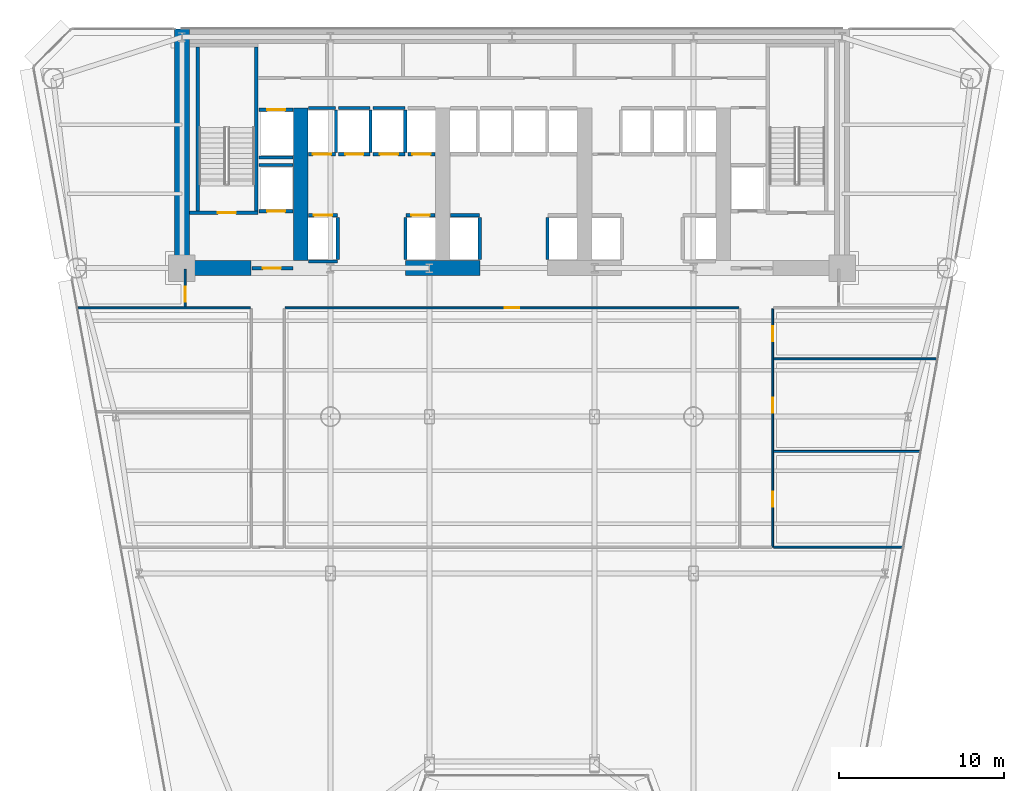
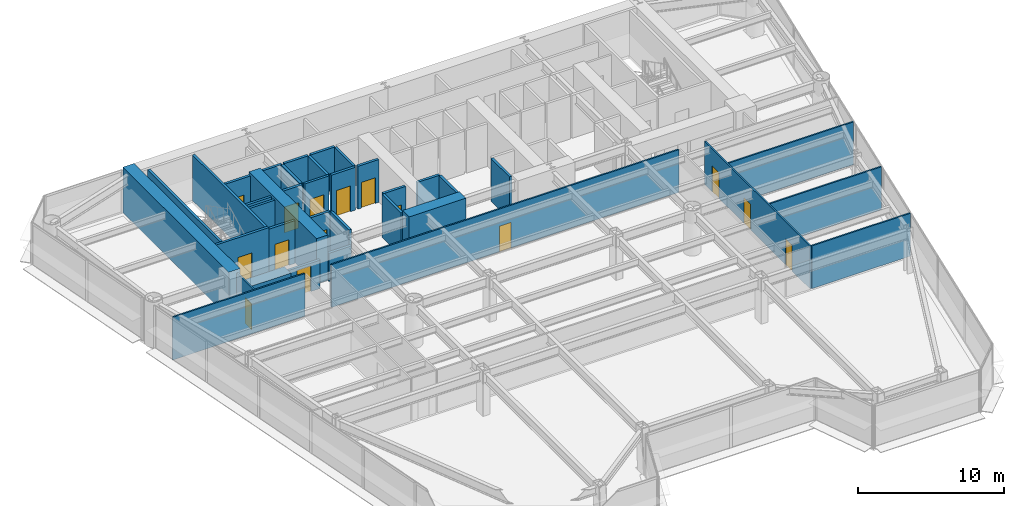
# One storey, part 8 of 14: 37 walls, 15 doors, 15 openings.
"""IFC4 building model written with IfcOpenShell, lengths in metres."""

import ifcopenshell
import ifcopenshell.guid

model = None  # the IFC model being written
_history = None  # IfcOwnerHistory: only IFC2X3 demands one
_inside = {}  # id of a spatial element -> (the spatial element, [elements in it])
_under = {}  # id of a project, library or spatial element -> (it, [spatial elements below it])
_declared = {}  # id of a project -> (the project, [libraries it declares])
_typed = {}  # id of a type object -> (the type object, [elements of that type])
_made_of = {}  # id of a material, layer set ... -> (it, [elements and type objects made of it])


def new_model(schema):
    """Start an empty IFC model of exactly this schema.

    Asked for "IFC4X3", IfcOpenShell would pick the latest addendum, in which some entities
    have other attributes; the version numbers below select the first issue.
    IFC2X3 requires an IfcOwnerHistory on every rooted entity: one is made here for all.
    """
    global model, _history
    if schema == "IFC4X3":
        model = ifcopenshell.file(schema_version=(4, 3, 0, 0))
    else:
        model = ifcopenshell.file(schema=schema)
    _inside.clear()
    _under.clear()
    _declared.clear()
    _typed.clear()
    _made_of.clear()
    _history = None
    if model.schema == "IFC2X3":
        org = make("IfcOrganization", Name="unknown")
        user = make(
            "IfcPersonAndOrganization",
            ThePerson=make("IfcPerson", FamilyName="unknown"),
            TheOrganization=org,
        )
        app = make(
            "IfcApplication",
            ApplicationDeveloper=org,
            Version="unknown",
            ApplicationFullName="unknown",
            ApplicationIdentifier="unknown",
        )
        _history = make(
            "IfcOwnerHistory",
            OwningUser=user,
            OwningApplication=app,
            ChangeAction="ADDED",
            CreationDate=0,
        )
    return model


def make(cls, **values):
    """One entity of the class cls with the attributes given. An attribute that is None is left unset."""
    return model.create_entity(
        cls, **{name: value for name, value in values.items() if value is not None}
    )


def rooted(cls, **values):
    """An entity with a GlobalId (a new one), such as an element, a storey or a relation."""
    return make(cls, GlobalId=ifcopenshell.guid.new(), OwnerHistory=_history, **values)


def si_unit(unit_type, name, prefix=None):
    """IfcSIUnit, for example si_unit("LENGTHUNIT", "METRE", prefix="MILLI")."""
    return make("IfcSIUnit", UnitType=unit_type, Prefix=prefix, Name=name)


def assignment(units):
    """IfcUnitAssignment: the units of a project."""
    return None if units is None else make("IfcUnitAssignment", Units=units)


def point(xyz):
    """IfcCartesianPoint."""
    return None if xyz is None else make("IfcCartesianPoint", Coordinates=xyz)


def direction(xyz):
    """IfcDirection."""
    return None if xyz is None else make("IfcDirection", DirectionRatios=xyz)


def frame(location, z_axis=None, x_axis=None):
    """IfcAxis2Placement3D, a coordinate frame: its origin and axes. An axis left out is left unset."""
    return make(
        "IfcAxis2Placement3D",
        Location=point(location),
        Axis=direction(z_axis),
        RefDirection=direction(x_axis),
    )


def frame_2d(location, x_axis=None):
    """IfcAxis2Placement2D, a coordinate frame in the plane: its origin and x axis."""
    return make(
        "IfcAxis2Placement2D", Location=point(location), RefDirection=direction(x_axis)
    )


def origin():
    """The frame at (0, 0, 0) with its axes left unset."""
    return frame((0.0, 0.0, 0.0))


def place(relative_to, where):
    """IfcLocalPlacement: puts the frame where relative to a parent placement (None: the world)."""
    return make(
        "IfcLocalPlacement", PlacementRelTo=relative_to, RelativePlacement=where
    )


def context(
    kind, dimensions, precision=None, world=None, true_north=None, identifier=None
):
    """IfcGeometricRepresentationContext, for example the 3D "Model" context."""
    return make(
        "IfcGeometricRepresentationContext",
        ContextIdentifier=identifier,
        ContextType=kind,
        CoordinateSpaceDimension=dimensions,
        Precision=precision,
        WorldCoordinateSystem=world,
        TrueNorth=true_north,
    )


def subcontext(parent, identifier, kind, view, scale=None):
    """IfcGeometricRepresentationSubContext, for example "Body" below "Model"."""
    return make(
        "IfcGeometricRepresentationSubContext",
        ContextIdentifier=identifier,
        ContextType=kind,
        ParentContext=parent,
        TargetScale=scale,
        TargetView=view,
    )


def project(units=None, contexts=None):
    """IfcProject with its units and contexts."""
    return rooted(
        "IfcProject",
        Name="project",
        RepresentationContexts=contexts,
        UnitsInContext=assignment(units),
    )


def spatial(cls, under=None, at=None, **own):
    """A site, building, storey or space (cls), placed at a placement, below another one or the project."""
    s = rooted(cls, ObjectPlacement=at, **own)
    if under is not None:
        _under.setdefault(under.id(), (under, []))[1].append(s)
    return s


def profile(cls, at=None, kind="AREA", **sizes):
    """A parametric profile (cls). Its sizes go by their IFC names, for example OverallWidth=200.0."""
    return make(cls, ProfileType=kind, Position=at, **sizes)


def rectangle(**sizes):
    """IfcRectangleProfileDef."""
    return profile("IfcRectangleProfileDef", **sizes)


def extrude(swept, where, along, depth):
    """IfcExtrudedAreaSolid: the profile swept, set in the frame where, extruded along a direction by depth."""
    return make(
        "IfcExtrudedAreaSolid",
        SweptArea=swept,
        Position=where,
        ExtrudedDirection=direction(along),
        Depth=depth,
    )


def shape(context_of_items, identifier, shape_type, items):
    """IfcShapeRepresentation: the items that make up one representation, for example the "Body"."""
    return make(
        "IfcShapeRepresentation",
        ContextOfItems=context_of_items,
        RepresentationIdentifier=identifier,
        RepresentationType=shape_type,
        Items=items,
    )


def source(mapping_origin, context_of_items, identifier, shape_type, items):
    """IfcRepresentationMap: a shape defined once, which mapped items show again and again."""
    return make(
        "IfcRepresentationMap",
        MappingOrigin=mapping_origin,
        MappedRepresentation=shape(context_of_items, identifier, shape_type, items),
    )


def transform(
    local_origin,
    x_axis=None,
    y_axis=None,
    z_axis=None,
    scale=None,
    scale2=None,
    scale3=None,
    uniform=True,
):
    """IfcCartesianTransformationOperator3D, or its non-uniform kind. x_axis, y_axis, z_axis: its Axis1, 2, 3."""
    if uniform:
        return make(
            "IfcCartesianTransformationOperator3D",
            Axis1=direction(x_axis),
            Axis2=direction(y_axis),
            LocalOrigin=point(local_origin),
            Scale=scale,
            Axis3=direction(z_axis),
        )
    return make(
        "IfcCartesianTransformationOperator3DnonUniform",
        Axis1=direction(x_axis),
        Axis2=direction(y_axis),
        LocalOrigin=point(local_origin),
        Scale=scale,
        Axis3=direction(z_axis),
        Scale2=scale2,
        Scale3=scale3,
    )


def mapped(mapping_source, mapping_target):
    """IfcMappedItem: shows the shape of a source again, moved by a transform."""
    return make(
        "IfcMappedItem", MappingSource=mapping_source, MappingTarget=mapping_target
    )


def material(Name=None, Category=None):
    """IfcMaterial."""
    return make("IfcMaterial", Name=Name, Category=Category)


def layer(
    of_material, thickness, ventilated=None, Name=None, Category=None, Priority=None
):
    """IfcMaterialLayer: one layer of a wall or slab, of a material (None: an air gap)."""
    return make(
        "IfcMaterialLayer",
        Material=of_material,
        LayerThickness=thickness,
        IsVentilated=ventilated,
        Name=Name,
        Category=Category,
        Priority=Priority,
    )


def layer_set(layers, Name=None):
    """IfcMaterialLayerSet."""
    return make("IfcMaterialLayerSet", MaterialLayers=layers, LayerSetName=Name)


def made_of(thing, what):
    """Note that an element or type object is made of a material, layer set ...; save() writes the relation."""
    if what is not None:
        _made_of.setdefault(what.id(), (what, []))[1].append(thing)
    return thing


def type_object(cls, material=None, **own):
    """A type object (cls), such as IfcWallType, which elements share."""
    return made_of(rooted(cls, **own), material)


def element(
    cls,
    number,
    at=None,
    inside=None,
    cuts=None,
    type_object=None,
    material=None,
    context=None,
    identifier="Body",
    shape_type=None,
    held_by="IfcProductDefinitionShape",
    body=None,
    shapes=None,
    **own,
):
    """One element of the class cls, such as IfcWall. Its Tag is "e" and its number.

    at: its placement. inside: the storey or other place that contains it. cuts: it is an
    opening in that element (IfcRelVoidsElement). A single representation is given by context,
    identifier, shape_type and body (its items); several are given by shapes. held_by: the class
    of the entity that holds the representations. save() writes the other relations.
    """
    e = rooted(cls, Tag="e%d" % number, ObjectPlacement=at, **own)
    if body is not None:
        shapes = [shape(context, identifier, shape_type, body)]
    if shapes is not None:
        e.Representation = make(held_by, Representations=shapes)
    if inside is not None:
        _inside.setdefault(inside.id(), (inside, []))[1].append(e)
    if cuts is not None:
        rooted(
            "IfcRelVoidsElement", RelatingBuildingElement=cuts, RelatedOpeningElement=e
        )
    if type_object is not None:
        _typed.setdefault(type_object.id(), (type_object, []))[1].append(e)
    return made_of(e, material)


def fill(opening, filler):
    """IfcRelFillsElement: the door or window that sits in an opening."""
    return rooted(
        "IfcRelFillsElement",
        RelatingOpeningElement=opening,
        RelatedBuildingElement=filler,
    )


def aggregate(whole, parts):
    """IfcRelAggregates: a whole, such as a stair, and the parts it consists of."""
    return rooted("IfcRelAggregates", RelatingObject=whole, RelatedObjects=parts)


def save(model, path):
    """Write the relations noted so far, then the file.

    IfcRelAggregates (storeys below a building ...), IfcRelContainedInSpatialStructure (elements
    in a storey), IfcRelDefinesByType, IfcRelAssociatesMaterial and IfcRelDeclares: one each for
    every whole, place, type object, material and project.
    """
    for whole, parts in _under.values():
        aggregate(whole, parts)
    for where, things in _inside.values():
        rooted(
            "IfcRelContainedInSpatialStructure",
            RelatedElements=things,
            RelatingStructure=where,
        )
    for kind, things in _typed.values():
        rooted("IfcRelDefinesByType", RelatedObjects=things, RelatingType=kind)
    for what, things in _made_of.values():
        rooted("IfcRelAssociatesMaterial", RelatedObjects=things, RelatingMaterial=what)
    for by, libraries in _declared.values():
        rooted("IfcRelDeclares", RelatingContext=by, RelatedDefinitions=libraries)
    model.write(path)


model = new_model("IFC4")

# Units and contexts
model_context = context("Model", 3, precision=1e-05, world=origin(), true_north=direction((0.0, 1.0)))
body_context = subcontext(model_context, "Body", "Model", "MODEL_VIEW")
ifc_project = project(units=[si_unit("LENGTHUNIT", "METRE"), si_unit("AREAUNIT", "SQUARE_METRE"), si_unit("VOLUMEUNIT", "CUBIC_METRE"), si_unit("PLANEANGLEUNIT", "RADIAN"), si_unit("MASSUNIT", "GRAM", prefix="KILO")], contexts=[model_context])

# Site, building, storey
site_placement = place(None, origin())
site = spatial("IfcSite", under=ifc_project, at=site_placement, CompositionType="ELEMENT")
building_placement = place(site_placement, origin())
building = spatial("IfcBuilding", under=site, at=building_placement, Name="Vaeldorn Concourse Tower", CompositionType="ELEMENT")
storey_placement = place(building_placement, frame((0.0, 0.0, 34.0)))
storey = spatial("IfcBuildingStorey", under=building, at=storey_placement, Name="L08", CompositionType="ELEMENT", Elevation=34.0)

# Walls
ifc_material_1 = material(Name="Concrete C60/75", Category="concrete")
ifc_layer_1 = layer(ifc_material_1, 0.89990234375)
ifc_layer_set_1 = layer_set([ifc_layer_1], Name="Concrete C60/75")
wall_type_1 = type_object("IfcWallType", Name="WL-CORE-900", PredefinedType="SHEAR", material=ifc_layer_set_1)
wall_1_placement = place(storey_placement, frame((14.0, 36.5, 0.0), z_axis=(0.0, 0.0, 1.0), x_axis=(0.0, 1.0, 0.0)))
element("IfcWall", 1, at=wall_1_placement, inside=storey, type_object=wall_type_1, Name="Rear Core Shear Wall L08 W1", PredefinedType="SHEAR", context=body_context, shape_type="SweptSolid", body=[
    extrude(rectangle(XDim=14.5, YDim=0.89990234375, at=frame_2d((7.25, 0.0))), origin(), (0.0, 0.0, 1.0), 3.800048828125),
])
wall_2_placement = place(storey_placement, frame((14.469970703125, 36.5, 0.0), z_axis=(0.0, 0.0, 1.0), x_axis=(1.0, 0.0, 0.0)))
element("IfcWall", 2, at=wall_2_placement, inside=storey, type_object=wall_type_1, Name="Rear Core Shear Wall L08 S1", PredefinedType="SHEAR", context=body_context, shape_type="SweptSolid", body=[
    extrude(rectangle(XDim=3.72998046875, YDim=0.89990234375, at=frame_2d((1.864990234375, 0.0))), origin(), (0.0, 0.0, 1.0), 2.3798828125),
])
wall_3_placement = place(storey_placement, frame((27.550048828125, 36.5, 0.0), z_axis=(0.0, 0.0, 1.0), x_axis=(1.0, 0.0, 0.0)))
element("IfcWall", 3, at=wall_3_placement, inside=storey, type_object=wall_type_1, Name="Rear Core Shear Wall L08 S2", PredefinedType="SHEAR", context=body_context, shape_type="SweptSolid", body=[
    extrude(rectangle(XDim=4.5, YDim=0.89990234375, at=frame_2d((2.25, 0.0))), origin(), (0.0, 0.0, 1.0), 3.800048828125),
])
wall_4_placement = place(storey_placement, frame((21.199951171875, 36.969970703125, 0.0), z_axis=(0.0, 0.0, 1.0), x_axis=(0.0, 1.0, 0.0)))
element("IfcWall", 4, at=wall_4_placement, inside=storey, type_object=wall_type_1, Name="Rear Core Shear Wall L08 M1", PredefinedType="SHEAR", context=body_context, shape_type="SweptSolid", body=[
    extrude(rectangle(XDim=9.22998046875, YDim=0.89990234375, at=frame_2d((4.614990234375, 0.0))), origin(), (0.0, 0.0, 1.0), 3.800048828125),
])

# Wall, opening, door
ifc_material_2 = material(Name="Gypsum Board Partition", Category="gypsum")
ifc_layer_2 = layer(ifc_material_2, 0.1201171875)
ifc_layer_set_2 = layer_set([ifc_layer_2], Name="Gypsum Board Partition")
wall_type_2 = type_object("IfcWallType", Name="WL-PART-120", PredefinedType="PARTITIONING", material=ifc_layer_set_2)
wall_5_placement = place(storey_placement, frame((20.260009765625, 34.10009765625, 0.0), z_axis=(0.0, 0.0, 1.0), x_axis=(1.0, 0.0, 0.0)))
wall_5 = element("IfcWall", 5, at=wall_5_placement, inside=storey, type_object=wall_type_2, Name="Interior Wall PW-L08-CEWS", PredefinedType="PARTITIONING", context=body_context, shape_type="SweptSolid", body=[
    extrude(rectangle(XDim=27.47998046875, YDim=0.1201171875, at=frame_2d((13.739990234375, 0.0))), origin(), (0.0, 0.0, 1.0), 3.580078125),
])
opening_1_placement = place(wall_5_placement, frame((13.2900390625, 0.0, 0.0)))
opening_1 = element("IfcOpeningElement", 6, at=opening_1_placement, cuts=wall_5, Name="Opening D-03", PredefinedType="OPENING", context=body_context, shape_type="SweptSolid", body=[
    extrude(rectangle(XDim=0.89990234375, YDim=2.14990234375, at=frame_2d((0.449951171875, 1.074951171875))), frame((0.0, 0.070068359375, 0.0), z_axis=(0.0, -1.0, 0.0), x_axis=(1.0, 0.0, 0.0)), (0.0, 0.0, 1.0), 0.14013671875),
])
ifc_material_3 = material(Name="Acoustic Bronze-Framed Glass Door", Category="glass")
door_type_1 = type_object("IfcDoorType", Name="DR-INT-900", OperationType="NOTDEFINED", PredefinedType="DOOR", material=ifc_material_3)
shared_shape_1 = source(origin(), body_context, "Body", "SweptSolid", [
    extrude(rectangle(XDim=0.89990234375, YDim=2.14990234375, at=frame_2d((0.449951171875, 1.074951171875))), frame((0.0, 0.02490234375, 0.0), z_axis=(0.0, -1.0, 0.0), x_axis=(1.0, 0.0, 0.0)), (0.0, 0.0, 1.0), 0.050048828125),
])
door_1_placement = place(opening_1_placement, origin())
door_1 = element("IfcDoor", 7, at=door_1_placement, inside=storey, type_object=door_type_1, Name="Interior Door DR-L08-H1", OperationType="SINGLE_SWING_LEFT", OverallHeight=2.14990234375, OverallWidth=0.89990234375, PredefinedType="DOOR", context=body_context, shape_type="MappedRepresentation", body=[
    mapped(shared_shape_1, transform((0.0, 0.0, 0.0), scale=1.0)),
])
fill(opening_1, door_1)

# Wall
wall_6_placement = place(storey_placement, frame((7.69287109375, 34.10009765625, 0.0), z_axis=(0.0, 0.0, 1.0), x_axis=(1.0, 0.0, 0.0)))
element("IfcWall", 8, at=wall_6_placement, inside=storey, type_object=wall_type_2, Name="Interior Wall PW-L08-CEWW", PredefinedType="PARTITIONING", context=body_context, shape_type="SweptSolid", body=[
    extrude(rectangle(XDim=10.447021484375, YDim=0.1201171875, at=frame_2d((5.2236328125, 0.0))), origin(), (0.0, 0.0, 1.0), 3.580078125),
])

# Wall, opening, door
wall_7_placement = place(storey_placement, frame((14.199951171875, 34.159912109375, 0.0), z_axis=(0.0, 0.0, 1.0), x_axis=(0.0, 1.0, 0.0)))
wall_7 = element("IfcWall", 9, at=wall_7_placement, inside=storey, type_object=wall_type_2, Name="Interior Wall PW-L08-CWWT", PredefinedType="PARTITIONING", context=body_context, shape_type="SweptSolid", body=[
    extrude(rectangle(XDim=2.280029296875, YDim=0.1201171875, at=frame_2d((1.14013671875, 0.0))), origin(), (0.0, 0.0, 1.0), 3.580078125),
])
opening_2_placement = place(wall_7_placement, frame((0.300048828125, 0.0, 0.0)))
opening_2 = element("IfcOpeningElement", 10, at=opening_2_placement, cuts=wall_7, Name="Opening D-03", PredefinedType="OPENING", context=body_context, shape_type="SweptSolid", body=[
    extrude(rectangle(XDim=0.89990234375, YDim=2.14990234375, at=frame_2d((0.449951171875, 1.074951171875))), frame((0.0, 0.070068359375, 0.0), z_axis=(0.0, -1.0, 0.0), x_axis=(1.0, 0.0, 0.0)), (0.0, 0.0, 1.0), 0.14013671875),
])
door_2_placement = place(opening_2_placement, origin())
door_2 = element("IfcDoor", 11, at=door_2_placement, inside=storey, type_object=door_type_1, Name="Interior Door DR-L08-NW1", OperationType="SINGLE_SWING_LEFT", OverallHeight=2.14990234375, OverallWidth=0.89990234375, PredefinedType="DOOR", context=body_context, shape_type="MappedRepresentation", body=[
    mapped(shared_shape_1, transform((0.0, 0.0, 0.0), scale=1.0)),
])
fill(opening_2, door_2)

# Wall, openings, doors
wall_8_placement = place(storey_placement, frame((49.800048828125, 19.60009765625, 0.0), z_axis=(0.0, 0.0, 1.0), x_axis=(0.0, 1.0, 0.0)))
wall_8 = element("IfcWall", 12, at=wall_8_placement, inside=storey, type_object=wall_type_2, Name="Interior Wall PW-L08-CEE", PredefinedType="PARTITIONING", context=body_context, shape_type="SweptSolid", body=[
    extrude(rectangle(XDim=14.43994140625, YDim=0.1201171875, at=frame_2d((7.219970703125, 0.0))), origin(), (0.0, 0.0, 1.0), 3.580078125),
])
opening_3_placement = place(wall_8_placement, frame((2.449951171875, 0.0, 0.0)))
opening_3 = element("IfcOpeningElement", 13, at=opening_3_placement, cuts=wall_8, Name="Opening D-03", PredefinedType="OPENING", context=body_context, shape_type="SweptSolid", body=[
    extrude(rectangle(XDim=0.89990234375, YDim=2.14990234375, at=frame_2d((0.449951171875, 1.074951171875))), frame((0.0, 0.070068359375, 0.0), z_axis=(0.0, -1.0, 0.0), x_axis=(1.0, 0.0, 0.0)), (0.0, 0.0, 1.0), 0.14013671875),
])
opening_4_placement = place(wall_8_placement, frame((8.14990234375, 0.0, 0.0)))
opening_4 = element("IfcOpeningElement", 14, at=opening_4_placement, cuts=wall_8, Name="Opening D-03", PredefinedType="OPENING", context=body_context, shape_type="SweptSolid", body=[
    extrude(rectangle(XDim=0.89990234375, YDim=2.14990234375, at=frame_2d((0.449951171875, 1.074951171875))), frame((0.0, 0.070068359375, 0.0), z_axis=(0.0, -1.0, 0.0), x_axis=(1.0, 0.0, 0.0)), (0.0, 0.0, 1.0), 0.14013671875),
])
opening_5_placement = place(wall_8_placement, frame((12.469970703125, 0.0, 0.0)))
opening_5 = element("IfcOpeningElement", 15, at=opening_5_placement, cuts=wall_8, Name="Opening D-03", PredefinedType="OPENING", context=body_context, shape_type="SweptSolid", body=[
    extrude(rectangle(XDim=0.89990234375, YDim=2.14990234375, at=frame_2d((0.449951171875, 1.074951171875))), frame((0.0, 0.070068359375, 0.0), z_axis=(0.0, -1.0, 0.0), x_axis=(1.0, 0.0, 0.0)), (0.0, 0.0, 1.0), 0.14013671875),
])
door_3_placement = place(opening_3_placement, origin())
door_3 = element("IfcDoor", 16, at=door_3_placement, inside=storey, type_object=door_type_1, Name="Interior Door DR-L08-E1", OperationType="SINGLE_SWING_RIGHT", OverallHeight=2.14990234375, OverallWidth=0.89990234375, PredefinedType="DOOR", context=body_context, shape_type="MappedRepresentation", body=[
    mapped(shared_shape_1, transform((0.0, 0.0, 0.0), scale=1.0)),
])
fill(opening_3, door_3)
door_4_placement = place(opening_4_placement, origin())
door_4 = element("IfcDoor", 17, at=door_4_placement, inside=storey, type_object=door_type_1, Name="Interior Door DR-L08-E2", OperationType="SINGLE_SWING_LEFT", OverallHeight=2.14990234375, OverallWidth=0.89990234375, PredefinedType="DOOR", context=body_context, shape_type="MappedRepresentation", body=[
    mapped(shared_shape_1, transform((0.0, 0.0, 0.0), scale=1.0)),
])
fill(opening_4, door_4)
door_5_placement = place(opening_5_placement, origin())
door_5 = element("IfcDoor", 18, at=door_5_placement, inside=storey, type_object=door_type_1, Name="Interior Door DR-L08-E3", OperationType="SINGLE_SWING_RIGHT", OverallHeight=2.14990234375, OverallWidth=0.89990234375, PredefinedType="DOOR", context=body_context, shape_type="MappedRepresentation", body=[
    mapped(shared_shape_1, transform((0.0, 0.0, 0.0), scale=1.0)),
])
fill(opening_5, door_5)

# Walls
wall_9_placement = place(storey_placement, frame((49.860107421875, 19.60009765625, 0.0), z_axis=(0.0, 0.0, 1.0), x_axis=(1.0, 0.0, 0.0)))
element("IfcWall", 19, at=wall_9_placement, inside=storey, type_object=wall_type_2, Name="Interior Wall PW-L08-EY0", PredefinedType="PARTITIONING", context=body_context, shape_type="SweptSolid", body=[
    extrude(rectangle(XDim=7.8125, YDim=0.1201171875, at=frame_2d((3.90625, 0.0))), origin(), (0.0, 0.0, 1.0), 3.580078125),
])
wall_10_placement = place(storey_placement, frame((49.860107421875, 25.39990234375, 0.0), z_axis=(0.0, 0.0, 1.0), x_axis=(1.0, 0.0, 0.0)))
element("IfcWall", 20, at=wall_10_placement, inside=storey, type_object=wall_type_2, Name="Interior Wall PW-L08-EY1", PredefinedType="PARTITIONING", context=body_context, shape_type="SweptSolid", body=[
    extrude(rectangle(XDim=8.8662109375, YDim=0.1201171875, at=frame_2d((4.43310546875, 0.0))), origin(), (0.0, 0.0, 1.0), 3.580078125),
])
wall_11_placement = place(storey_placement, frame((49.860107421875, 31.0, 0.0), z_axis=(0.0, 0.0, 1.0), x_axis=(1.0, 0.0, 0.0)))
element("IfcWall", 21, at=wall_11_placement, inside=storey, type_object=wall_type_2, Name="Interior Wall PW-L08-EY2", PredefinedType="PARTITIONING", context=body_context, shape_type="SweptSolid", body=[
    extrude(rectangle(XDim=9.8837890625, YDim=0.1201171875, at=frame_2d((4.94189453125, 0.0))), origin(), (0.0, 0.0, 1.0), 3.580078125),
])

# Wall, opening, door
ifc_material_4 = material(Name="Concrete C50/60", Category="concrete")
ifc_layer_3 = layer(ifc_material_4, 0.199951171875)
ifc_layer_set_3 = layer_set([ifc_layer_3], Name="Concrete C50/60")
wall_type_3 = type_object("IfcWallType", Name="WL-SHAFT-200", PredefinedType="SOLIDWALL", material=ifc_layer_set_3)
wall_12_placement = place(storey_placement, frame((14.449951171875, 39.85009765625, 0.0), z_axis=(0.0, 0.0, 1.0), x_axis=(1.0, 0.0, 0.0)))
wall_12 = element("IfcWall", 22, at=wall_12_placement, inside=storey, type_object=wall_type_3, Name="Stair Shaft Wall CW-L08-ST-1-S", PredefinedType="SOLIDWALL", context=body_context, shape_type="SweptSolid", body=[
    extrude(rectangle(XDim=4.150146484375, YDim=0.199951171875, at=frame_2d((2.0751953125, 0.0))), origin(), (0.0, 0.0, 1.0), 3.800048828125),
])
opening_6_placement = place(wall_12_placement, frame((1.72509765625, 0.0, 0.0)))
opening_6 = element("IfcOpeningElement", 23, at=opening_6_placement, cuts=wall_12, Name="Opening D-01", PredefinedType="OPENING", context=body_context, shape_type="SweptSolid", body=[
    extrude(rectangle(XDim=1.10009765625, YDim=2.14990234375, at=frame_2d((0.550048828125, 1.074951171875))), frame((0.0, 0.10986328125, 0.0), z_axis=(0.0, -1.0, 0.0), x_axis=(1.0, 0.0, 0.0)), (0.0, 0.0, 1.0), 0.219970703125),
])
ifc_material_5 = material(Name="Fire-Rated Timber and Steel Leaf", Category="steel")
door_type_2 = type_object("IfcDoorType", Name="DR-FD60-1100", OperationType="NOTDEFINED", PredefinedType="DOOR", material=ifc_material_5)
shared_shape_2 = source(origin(), body_context, "Body", "SweptSolid", [
    extrude(rectangle(XDim=1.10009765625, YDim=2.14990234375, at=frame_2d((0.550048828125, 1.074951171875))), frame((0.0, 0.02490234375, 0.0), z_axis=(0.0, -1.0, 0.0), x_axis=(1.0, 0.0, 0.0)), (0.0, 0.0, 1.0), 0.050048828125),
])
door_6_placement = place(opening_6_placement, origin())
door_6 = element("IfcDoor", 24, at=door_6_placement, inside=storey, type_object=door_type_2, Name="Interior Door DR-L08-ST-1", OperationType="SINGLE_SWING_LEFT", OverallHeight=2.14990234375, OverallWidth=1.10009765625, PredefinedType="DOOR", context=body_context, shape_type="MappedRepresentation", body=[
    mapped(shared_shape_2, transform((0.0, 0.0, 0.0), scale=1.0)),
])
fill(opening_6, door_6)

# Walls
for number, where, z_axis, x_axis, name in (
    (25, (14.949951171875, 39.9599609375, 0.0), (0.0, 0.0, 1.0), (0.0, 1.0, 0.0), "Stair Shaft Wall CW-L08-ST-1-W"),
    (26, (18.5, 39.9599609375, 0.0), (0.0, 0.0, 1.0), (0.0, 1.0, 0.0), "Stair Shaft Wall CW-L08-ST-1-E"),
):
    element("IfcWall", number, at=place(storey_placement, frame(where, z_axis=z_axis, x_axis=x_axis)), inside=storey, type_object=wall_type_3, Name=name, PredefinedType="SOLIDWALL", context=body_context, shape_type="SweptSolid", body=[
        extrude(rectangle(XDim=9.929931640625, YDim=0.199951171875, at=frame_2d((4.96484375, 0.0))), origin(), (0.0, 0.0, 1.0), 3.800048828125),
    ])

# Wall, opening, door
wall_13_placement = place(storey_placement, frame((18.25, 36.5, 0.0), z_axis=(0.0, 0.0, 1.0), x_axis=(1.0, 0.0, 0.0)))
wall_13 = element("IfcWall", 27, at=wall_13_placement, inside=storey, type_object=wall_type_3, Name="Interior Wall CW-L08-FF1S", PredefinedType="SOLIDWALL", context=body_context, shape_type="SweptSolid", body=[
    extrude(rectangle(XDim=2.469970703125, YDim=0.199951171875, at=frame_2d((1.23486328125, 0.0))), origin(), (0.0, 0.0, 1.0), 2.3701171875),
])
opening_7_placement = place(wall_13_placement, frame((0.64990234375, 0.0, 0.0)))
opening_7 = element("IfcOpeningElement", 28, at=opening_7_placement, cuts=wall_13, Name="Opening D-01", PredefinedType="OPENING", context=body_context, shape_type="SweptSolid", body=[
    extrude(rectangle(XDim=1.10009765625, YDim=2.14990234375, at=frame_2d((0.550048828125, 1.074951171875))), frame((0.0, 0.10986328125, 0.0), z_axis=(0.0, -1.0, 0.0), x_axis=(1.0, 0.0, 0.0)), (0.0, 0.0, 1.0), 0.219970703125),
])
door_7_placement = place(opening_7_placement, origin())
door_7 = element("IfcDoor", 29, at=door_7_placement, inside=storey, type_object=door_type_2, Name="Interior Door DR-L08-FF1E", OperationType="SINGLE_SWING_RIGHT", OverallHeight=2.14990234375, OverallWidth=1.10009765625, PredefinedType="DOOR", context=body_context, shape_type="MappedRepresentation", body=[
    mapped(shared_shape_2, transform((0.0, 0.0, 0.0), scale=1.0)),
])
fill(opening_7, door_7)

wall_14_placement = place(storey_placement, frame((21.659912109375, 39.699951171875, 0.0), z_axis=(0.0, 0.0, 1.0), x_axis=(1.0, 0.0, 0.0)))
wall_14 = element("IfcWall", 30, at=wall_14_placement, inside=storey, type_object=wall_type_3, Name="Interior Wall CW-L08-LF-LF-01", PredefinedType="SOLIDWALL", context=body_context, shape_type="SweptSolid", body=[
    extrude(rectangle(XDim=1.77001953125, YDim=0.199951171875, at=frame_2d((0.885009765625, 0.0))), origin(), (0.0, 0.0, 1.0), 3.580078125),
])
opening_8_placement = place(wall_14_placement, frame((0.3349609375, 0.0, 0.0)))
opening_8 = element("IfcOpeningElement", 31, at=opening_8_placement, cuts=wall_14, Name="Opening LD-1", PredefinedType="OPENING", context=body_context, shape_type="SweptSolid", body=[
    extrude(rectangle(XDim=1.10009765625, YDim=2.14990234375, at=frame_2d((0.550048828125, 1.074951171875))), frame((0.0, 0.10986328125, 0.0), z_axis=(0.0, -1.0, 0.0), x_axis=(1.0, 0.0, 0.0)), (0.0, 0.0, 1.0), 0.219970703125),
])
ifc_material_6 = material(Name="Anodised Bronze Aluminium", Category="aluminium")
door_type_3 = type_object("IfcDoorType", Name="DR-LIFT-SLIDE-1100", OperationType="DOUBLE_DOOR_SLIDING", PredefinedType="DOOR", material=ifc_material_6)
door_8_placement = place(opening_8_placement, origin())
door_8 = element("IfcDoor", 32, at=door_8_placement, inside=storey, type_object=door_type_3, Name="Lift Landing Door LD-L08-LF-01", OperationType="DOUBLE_DOOR_SLIDING", OverallHeight=2.14990234375, OverallWidth=1.10009765625, PredefinedType="DOOR", context=body_context, shape_type="MappedRepresentation", body=[
    mapped(shared_shape_2, transform((0.0, 0.0, 0.0), scale=1.0)),
])
fill(opening_8, door_8)

# Walls
wall_15_placement = place(storey_placement, frame((21.659912109375, 36.89990234375, 0.0), z_axis=(0.0, 0.0, 1.0), x_axis=(1.0, 0.0, 0.0)))
element("IfcWall", 33, at=wall_15_placement, inside=storey, type_object=wall_type_3, Name="Interior Wall CW-L08-LFB-LF-01", PredefinedType="SOLIDWALL", context=body_context, shape_type="SweptSolid", body=[
    extrude(rectangle(XDim=1.77001953125, YDim=0.199951171875, at=frame_2d((0.885009765625, 0.0))), origin(), (0.0, 0.0, 1.0), 2.3701171875),
])
wall_16_placement = place(storey_placement, frame((23.449951171875, 37.02001953125, 0.0), z_axis=(0.0, 0.0, 1.0), x_axis=(0.0, 1.0, 0.0)))
element("IfcWall", 34, at=wall_16_placement, inside=storey, type_object=wall_type_3, Name="Interior Wall CW-L08-LFE-LF-01", PredefinedType="SOLIDWALL", context=body_context, shape_type="SweptSolid", body=[
    extrude(rectangle(XDim=2.56005859375, YDim=0.199951171875, at=frame_2d((1.280029296875, 0.0))), origin(), (0.0, 0.0, 1.0), 3.580078125),
])

# Wall, opening, door
wall_17_placement = place(storey_placement, frame((27.570068359375, 39.699951171875, 0.0), z_axis=(0.0, 0.0, 1.0), x_axis=(1.0, 0.0, 0.0)))
wall_17 = element("IfcWall", 35, at=wall_17_placement, inside=storey, type_object=wall_type_3, Name="Interior Wall CW-L08-LF-LF-02", PredefinedType="SOLIDWALL", context=body_context, shape_type="SweptSolid", body=[
    extrude(rectangle(XDim=1.77001953125, YDim=0.199951171875, at=frame_2d((0.885009765625, 0.0))), origin(), (0.0, 0.0, 1.0), 3.580078125),
])
opening_9_placement = place(wall_17_placement, frame((0.3349609375, 0.0, 0.0)))
opening_9 = element("IfcOpeningElement", 36, at=opening_9_placement, cuts=wall_17, Name="Opening LD-1", PredefinedType="OPENING", context=body_context, shape_type="SweptSolid", body=[
    extrude(rectangle(XDim=1.10009765625, YDim=2.14990234375, at=frame_2d((0.550048828125, 1.074951171875))), frame((0.0, 0.10986328125, 0.0), z_axis=(0.0, -1.0, 0.0), x_axis=(1.0, 0.0, 0.0)), (0.0, 0.0, 1.0), 0.219970703125),
])
door_9_placement = place(opening_9_placement, origin())
door_9 = element("IfcDoor", 37, at=door_9_placement, inside=storey, type_object=door_type_3, Name="Lift Landing Door LD-L08-LF-02", OperationType="DOUBLE_DOOR_SLIDING", OverallHeight=2.14990234375, OverallWidth=1.10009765625, PredefinedType="DOOR", context=body_context, shape_type="MappedRepresentation", body=[
    mapped(shared_shape_2, transform((0.0, 0.0, 0.0), scale=1.0)),
])
fill(opening_9, door_9)

# Wall
wall_18_placement = place(storey_placement, frame((27.550048828125, 37.02001953125, 0.0), z_axis=(0.0, 0.0, 1.0), x_axis=(0.0, 1.0, 0.0)))
element("IfcWall", 38, at=wall_18_placement, inside=storey, type_object=wall_type_3, Name="Interior Wall CW-L08-LFW-LF-02", PredefinedType="SOLIDWALL", context=body_context, shape_type="SweptSolid", body=[
    extrude(rectangle(XDim=2.56005859375, YDim=0.199951171875, at=frame_2d((1.280029296875, 0.0))), origin(), (0.0, 0.0, 1.0), 3.580078125),
])

# Wall, opening, door
wall_19_placement = place(storey_placement, frame((21.659912109375, 43.39990234375, 0.0), z_axis=(0.0, 0.0, 1.0), x_axis=(1.0, 0.0, 0.0)))
wall_19 = element("IfcWall", 39, at=wall_19_placement, inside=storey, type_object=wall_type_3, Name="Interior Wall CW-L08-LF-LF-03", PredefinedType="SOLIDWALL", context=body_context, shape_type="SweptSolid", body=[
    extrude(rectangle(XDim=1.650146484375, YDim=0.199951171875, at=frame_2d((0.8251953125, 0.0))), origin(), (0.0, 0.0, 1.0), 3.580078125),
])
opening_10_placement = place(wall_19_placement, frame((0.27490234375, 0.0, 0.0)))
opening_10 = element("IfcOpeningElement", 40, at=opening_10_placement, cuts=wall_19, Name="Opening LD-1", PredefinedType="OPENING", context=body_context, shape_type="SweptSolid", body=[
    extrude(rectangle(XDim=1.10009765625, YDim=2.14990234375, at=frame_2d((0.550048828125, 1.074951171875))), frame((0.0, 0.10986328125, 0.0), z_axis=(0.0, -1.0, 0.0), x_axis=(1.0, 0.0, 0.0)), (0.0, 0.0, 1.0), 0.219970703125),
])
door_10_placement = place(opening_10_placement, origin())
door_10 = element("IfcDoor", 41, at=door_10_placement, inside=storey, type_object=door_type_3, Name="Lift Landing Door LD-L08-LF-03", OperationType="DOUBLE_DOOR_SLIDING", OverallHeight=2.14990234375, OverallWidth=1.10009765625, PredefinedType="DOOR", context=body_context, shape_type="MappedRepresentation", body=[
    mapped(shared_shape_2, transform((0.0, 0.0, 0.0), scale=1.0)),
])
fill(opening_10, door_10)

# Walls
wall_20_placement = place(storey_placement, frame((21.659912109375, 46.199951171875, 0.0), z_axis=(0.0, 0.0, 1.0), x_axis=(1.0, 0.0, 0.0)))
element("IfcWall", 42, at=wall_20_placement, inside=storey, type_object=wall_type_3, Name="Interior Wall CW-L08-LFB-LF-03", PredefinedType="SOLIDWALL", context=body_context, shape_type="SweptSolid", body=[
    extrude(rectangle(XDim=1.650146484375, YDim=0.199951171875, at=frame_2d((0.8251953125, 0.0))), origin(), (0.0, 0.0, 1.0), 3.580078125),
])
wall_21_placement = place(storey_placement, frame((23.330078125, 43.52001953125, 0.0), z_axis=(0.0, 0.0, 1.0), x_axis=(0.0, 1.0, 0.0)))
element("IfcWall", 43, at=wall_21_placement, inside=storey, type_object=wall_type_3, Name="Interior Wall CW-L08-LFE-LF-03", PredefinedType="SOLIDWALL", context=body_context, shape_type="SweptSolid", body=[
    extrude(rectangle(XDim=2.56005859375, YDim=0.199951171875, at=frame_2d((1.280029296875, 0.0))), origin(), (0.0, 0.0, 1.0), 3.580078125),
])

# Wall, opening, door
wall_22_placement = place(storey_placement, frame((23.489990234375, 43.39990234375, 0.0), z_axis=(0.0, 0.0, 1.0), x_axis=(1.0, 0.0, 0.0)))
wall_22 = element("IfcWall", 44, at=wall_22_placement, inside=storey, type_object=wall_type_3, Name="Interior Wall CW-L08-LF-LF-04", PredefinedType="SOLIDWALL", context=body_context, shape_type="SweptSolid", body=[
    extrude(rectangle(XDim=1.919921875, YDim=0.199951171875, at=frame_2d((0.9599609375, 0.0))), origin(), (0.0, 0.0, 1.0), 3.580078125),
])
opening_11_placement = place(wall_22_placement, frame((0.409912109375, 0.0, 0.0)))
opening_11 = element("IfcOpeningElement", 45, at=opening_11_placement, cuts=wall_22, Name="Opening LD-1", PredefinedType="OPENING", context=body_context, shape_type="SweptSolid", body=[
    extrude(rectangle(XDim=1.10009765625, YDim=2.14990234375, at=frame_2d((0.550048828125, 1.074951171875))), frame((0.0, 0.10986328125, 0.0), z_axis=(0.0, -1.0, 0.0), x_axis=(1.0, 0.0, 0.0)), (0.0, 0.0, 1.0), 0.219970703125),
])
door_11_placement = place(opening_11_placement, origin())
door_11 = element("IfcDoor", 46, at=door_11_placement, inside=storey, type_object=door_type_3, Name="Lift Landing Door LD-L08-LF-04", OperationType="DOUBLE_DOOR_SLIDING", OverallHeight=2.14990234375, OverallWidth=1.10009765625, PredefinedType="DOOR", context=body_context, shape_type="MappedRepresentation", body=[
    mapped(shared_shape_2, transform((0.0, 0.0, 0.0), scale=1.0)),
])
fill(opening_11, door_11)

# Walls
wall_23_placement = place(storey_placement, frame((23.489990234375, 46.199951171875, 0.0), z_axis=(0.0, 0.0, 1.0), x_axis=(1.0, 0.0, 0.0)))
element("IfcWall", 47, at=wall_23_placement, inside=storey, type_object=wall_type_3, Name="Interior Wall CW-L08-LFB-LF-04", PredefinedType="SOLIDWALL", context=body_context, shape_type="SweptSolid", body=[
    extrude(rectangle(XDim=1.919921875, YDim=0.199951171875, at=frame_2d((0.9599609375, 0.0))), origin(), (0.0, 0.0, 1.0), 3.580078125),
])
wall_24_placement = place(storey_placement, frame((25.429931640625, 43.52001953125, 0.0), z_axis=(0.0, 0.0, 1.0), x_axis=(0.0, 1.0, 0.0)))
element("IfcWall", 48, at=wall_24_placement, inside=storey, type_object=wall_type_3, Name="Interior Wall CW-L08-LFE-LF-04", PredefinedType="SOLIDWALL", context=body_context, shape_type="SweptSolid", body=[
    extrude(rectangle(XDim=2.56005859375, YDim=0.199951171875, at=frame_2d((1.280029296875, 0.0))), origin(), (0.0, 0.0, 1.0), 3.580078125),
])

# Wall, opening, door
wall_25_placement = place(storey_placement, frame((25.590087890625, 43.39990234375, 0.0), z_axis=(0.0, 0.0, 1.0), x_axis=(1.0, 0.0, 0.0)))
wall_25 = element("IfcWall", 49, at=wall_25_placement, inside=storey, type_object=wall_type_3, Name="Interior Wall CW-L08-LF-LF-05", PredefinedType="SOLIDWALL", context=body_context, shape_type="SweptSolid", body=[
    extrude(rectangle(XDim=1.919921875, YDim=0.199951171875, at=frame_2d((0.9599609375, 0.0))), origin(), (0.0, 0.0, 1.0), 3.580078125),
])
opening_12_placement = place(wall_25_placement, frame((0.409912109375, 0.0, 0.0)))
opening_12 = element("IfcOpeningElement", 50, at=opening_12_placement, cuts=wall_25, Name="Opening LD-1", PredefinedType="OPENING", context=body_context, shape_type="SweptSolid", body=[
    extrude(rectangle(XDim=1.10009765625, YDim=2.14990234375, at=frame_2d((0.550048828125, 1.074951171875))), frame((0.0, 0.10986328125, 0.0), z_axis=(0.0, -1.0, 0.0), x_axis=(1.0, 0.0, 0.0)), (0.0, 0.0, 1.0), 0.219970703125),
])
door_12_placement = place(opening_12_placement, origin())
door_12 = element("IfcDoor", 51, at=door_12_placement, inside=storey, type_object=door_type_3, Name="Lift Landing Door LD-L08-LF-05", OperationType="DOUBLE_DOOR_SLIDING", OverallHeight=2.14990234375, OverallWidth=1.10009765625, PredefinedType="DOOR", context=body_context, shape_type="MappedRepresentation", body=[
    mapped(shared_shape_2, transform((0.0, 0.0, 0.0), scale=1.0)),
])
fill(opening_12, door_12)

# Walls
wall_26_placement = place(storey_placement, frame((25.590087890625, 46.199951171875, 0.0), z_axis=(0.0, 0.0, 1.0), x_axis=(1.0, 0.0, 0.0)))
element("IfcWall", 52, at=wall_26_placement, inside=storey, type_object=wall_type_3, Name="Interior Wall CW-L08-LFB-LF-05", PredefinedType="SOLIDWALL", context=body_context, shape_type="SweptSolid", body=[
    extrude(rectangle(XDim=1.919921875, YDim=0.199951171875, at=frame_2d((0.9599609375, 0.0))), origin(), (0.0, 0.0, 1.0), 3.580078125),
])
wall_27_placement = place(storey_placement, frame((27.530029296875, 43.52001953125, 0.0), z_axis=(0.0, 0.0, 1.0), x_axis=(0.0, 1.0, 0.0)))
element("IfcWall", 53, at=wall_27_placement, inside=storey, type_object=wall_type_3, Name="Interior Wall CW-L08-LFE-LF-05", PredefinedType="SOLIDWALL", context=body_context, shape_type="SweptSolid", body=[
    extrude(rectangle(XDim=2.56005859375, YDim=0.199951171875, at=frame_2d((1.280029296875, 0.0))), origin(), (0.0, 0.0, 1.0), 3.580078125),
])

# Wall, opening, door
wall_28_placement = place(storey_placement, frame((27.68994140625, 43.39990234375, 0.0), z_axis=(0.0, 0.0, 1.0), x_axis=(1.0, 0.0, 0.0)))
wall_28 = element("IfcWall", 54, at=wall_28_placement, inside=storey, type_object=wall_type_3, Name="Interior Wall CW-L08-LF-LF-06", PredefinedType="SOLIDWALL", context=body_context, shape_type="SweptSolid", body=[
    extrude(rectangle(XDim=1.650146484375, YDim=0.199951171875, at=frame_2d((0.8251953125, 0.0))), origin(), (0.0, 0.0, 1.0), 3.580078125),
])
opening_13_placement = place(wall_28_placement, frame((0.27490234375, 0.0, 0.0)))
opening_13 = element("IfcOpeningElement", 55, at=opening_13_placement, cuts=wall_28, Name="Opening LD-1", PredefinedType="OPENING", context=body_context, shape_type="SweptSolid", body=[
    extrude(rectangle(XDim=1.10009765625, YDim=2.14990234375, at=frame_2d((0.550048828125, 1.074951171875))), frame((0.0, 0.10986328125, 0.0), z_axis=(0.0, -1.0, 0.0), x_axis=(1.0, 0.0, 0.0)), (0.0, 0.0, 1.0), 0.219970703125),
])
door_13_placement = place(opening_13_placement, origin())
door_13 = element("IfcDoor", 56, at=door_13_placement, inside=storey, type_object=door_type_3, Name="Lift Landing Door LD-L08-LF-06", OperationType="DOUBLE_DOOR_SLIDING", OverallHeight=2.14990234375, OverallWidth=1.10009765625, PredefinedType="DOOR", context=body_context, shape_type="MappedRepresentation", body=[
    mapped(shared_shape_2, transform((0.0, 0.0, 0.0), scale=1.0)),
])
fill(opening_13, door_13)

# Walls
wall_29_placement = place(storey_placement, frame((30.260009765625, 39.699951171875, 0.0), z_axis=(0.0, 0.0, 1.0), x_axis=(1.0, 0.0, 0.0)))
element("IfcWall", 57, at=wall_29_placement, inside=storey, type_object=wall_type_3, Name="Interior Wall CW-L08-LF-LF-07", PredefinedType="SOLIDWALL", context=body_context, shape_type="SweptSolid", body=[
    extrude(rectangle(XDim=1.77001953125, YDim=0.199951171875, at=frame_2d((0.885009765625, 0.0))), origin(), (0.0, 0.0, 1.0), 3.580078125),
])
for number, where, z_axis, x_axis, name in (
    (58, (32.050048828125, 37.02001953125, 0.0), (0.0, 0.0, 1.0), (0.0, 1.0, 0.0), "Interior Wall CW-L08-LFE-LF-07"),
    (59, (36.14990234375, 37.02001953125, 0.0), (0.0, 0.0, 1.0), (0.0, 1.0, 0.0), "Interior Wall CW-L08-LFW-LF-08"),
):
    element("IfcWall", number, at=place(storey_placement, frame(where, z_axis=z_axis, x_axis=x_axis)), inside=storey, type_object=wall_type_3, Name=name, PredefinedType="SOLIDWALL", context=body_context, shape_type="SweptSolid", body=[
        extrude(rectangle(XDim=2.56005859375, YDim=0.199951171875, at=frame_2d((1.280029296875, 0.0))), origin(), (0.0, 0.0, 1.0), 3.580078125),
    ])

# Wall, opening, door
wall_30_placement = place(storey_placement, frame((18.669921875, 46.10009765625, 0.0), z_axis=(0.0, 0.0, 1.0), x_axis=(1.0, 0.0, 0.0)))
wall_30 = element("IfcWall", 60, at=wall_30_placement, inside=storey, type_object=wall_type_3, Name="Interior Wall CW-L08-LF-LF-SV1", PredefinedType="SOLIDWALL", context=body_context, shape_type="SweptSolid", body=[
    extrude(rectangle(XDim=2.070068359375, YDim=0.199951171875, at=frame_2d((1.03515625, 0.0))), origin(), (0.0, 0.0, 1.0), 3.580078125),
])
opening_14_placement = place(wall_30_placement, frame((0.485107421875, 0.0, 0.0)))
opening_14 = element("IfcOpeningElement", 61, at=opening_14_placement, cuts=wall_30, Name="Opening LD-1", PredefinedType="OPENING", context=body_context, shape_type="SweptSolid", body=[
    extrude(rectangle(XDim=1.10009765625, YDim=2.14990234375, at=frame_2d((0.550048828125, 1.074951171875))), frame((0.0, 0.10986328125, 0.0), z_axis=(0.0, -1.0, 0.0), x_axis=(1.0, 0.0, 0.0)), (0.0, 0.0, 1.0), 0.219970703125),
])
door_14_placement = place(opening_14_placement, origin())
door_14 = element("IfcDoor", 62, at=door_14_placement, inside=storey, type_object=door_type_3, Name="Lift Landing Door LD-L08-LF-SV1", OperationType="DOUBLE_DOOR_SLIDING", OverallHeight=2.14990234375, OverallWidth=1.10009765625, PredefinedType="DOOR", context=body_context, shape_type="MappedRepresentation", body=[
    mapped(shared_shape_2, transform((0.0, 0.0, 0.0), scale=1.0)),
])
fill(opening_14, door_14)

# Wall
wall_31_placement = place(storey_placement, frame((18.669921875, 43.199951171875, 0.0), z_axis=(0.0, 0.0, 1.0), x_axis=(1.0, 0.0, 0.0)))
element("IfcWall", 63, at=wall_31_placement, inside=storey, type_object=wall_type_3, Name="Interior Wall CW-L08-LFB-LF-SV1", PredefinedType="SOLIDWALL", context=body_context, shape_type="SweptSolid", body=[
    extrude(rectangle(XDim=2.070068359375, YDim=0.199951171875, at=frame_2d((1.03515625, 0.0))), origin(), (0.0, 0.0, 1.0), 3.580078125),
])

# Wall, opening, door
wall_32_placement = place(storey_placement, frame((18.669921875, 39.949951171875, 0.0), z_axis=(0.0, 0.0, 1.0), x_axis=(1.0, 0.0, 0.0)))
wall_32 = element("IfcWall", 64, at=wall_32_placement, inside=storey, type_object=wall_type_3, Name="Interior Wall CW-L08-LF-LF-FF1", PredefinedType="SOLIDWALL", context=body_context, shape_type="SweptSolid", body=[
    extrude(rectangle(XDim=2.070068359375, YDim=0.199951171875, at=frame_2d((1.03515625, 0.0))), origin(), (0.0, 0.0, 1.0), 3.580078125),
])
opening_15_placement = place(wall_32_placement, frame((0.485107421875, 0.0, 0.0)))
opening_15 = element("IfcOpeningElement", 65, at=opening_15_placement, cuts=wall_32, Name="Opening LD-1", PredefinedType="OPENING", context=body_context, shape_type="SweptSolid", body=[
    extrude(rectangle(XDim=1.10009765625, YDim=2.14990234375, at=frame_2d((0.550048828125, 1.074951171875))), frame((0.0, 0.10986328125, 0.0), z_axis=(0.0, -1.0, 0.0), x_axis=(1.0, 0.0, 0.0)), (0.0, 0.0, 1.0), 0.219970703125),
])
door_15_placement = place(opening_15_placement, origin())
door_15 = element("IfcDoor", 66, at=door_15_placement, inside=storey, type_object=door_type_3, Name="Lift Landing Door LD-L08-LF-FF1", OperationType="DOUBLE_DOOR_SLIDING", OverallHeight=2.14990234375, OverallWidth=1.10009765625, PredefinedType="DOOR", context=body_context, shape_type="MappedRepresentation", body=[
    mapped(shared_shape_2, transform((0.0, 0.0, 0.0), scale=1.0)),
])
fill(opening_15, door_15)

# Wall
wall_33_placement = place(storey_placement, frame((18.669921875, 42.75, 0.0), z_axis=(0.0, 0.0, 1.0), x_axis=(1.0, 0.0, 0.0)))
element("IfcWall", 67, at=wall_33_placement, inside=storey, type_object=wall_type_3, Name="Interior Wall CW-L08-LFB-LF-FF1", PredefinedType="SOLIDWALL", context=body_context, shape_type="SweptSolid", body=[
    extrude(rectangle(XDim=2.070068359375, YDim=0.199951171875, at=frame_2d((1.03515625, 0.0))), origin(), (0.0, 0.0, 1.0), 3.580078125),
])

save(model, "model.ifc")
